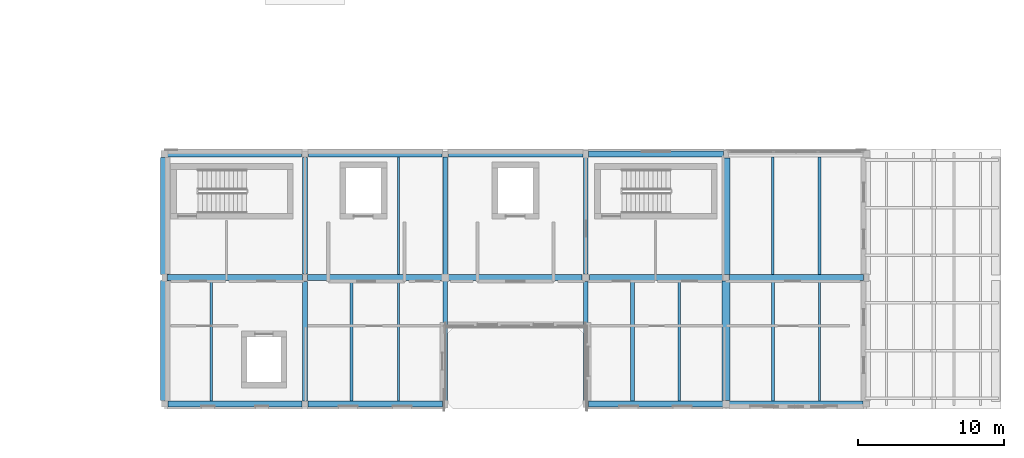
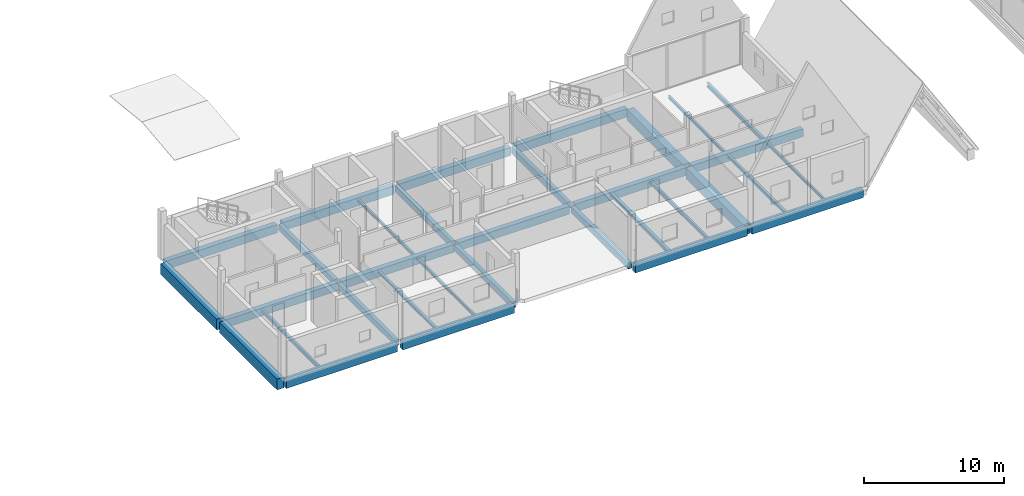
# One storey, part 5 of 23: 33 beams.
"""IFC4 building model written with IfcOpenShell, lengths in metres."""

from ifc_helpers import new_model, si_unit, direction, frame, origin, origin_2d, place, context, subcontext, project, spatial, rectangle, i_section, extrude, material, material_profile, profile_set, type_object, element, save


model = new_model("IFC4")

# Units and contexts
model_context = context("Model", 3, precision=1e-05, world=origin(), true_north=direction((0.0, 1.0)))
body_context = subcontext(model_context, "Body", "Model", "MODEL_VIEW")
ifc_project = project(units=[si_unit("LENGTHUNIT", "METRE"), si_unit("AREAUNIT", "SQUARE_METRE"), si_unit("VOLUMEUNIT", "CUBIC_METRE"), si_unit("PLANEANGLEUNIT", "RADIAN"), si_unit("MASSUNIT", "GRAM", prefix="KILO")], contexts=[model_context])

# Site, building, storey
site_placement = place(None, origin())
site = spatial("IfcSite", under=ifc_project, at=site_placement, CompositionType="ELEMENT")
building_placement = place(site_placement, origin())
building = spatial("IfcBuilding", under=site, at=building_placement, Name="Birchvale Park Specialist Clinic", CompositionType="ELEMENT")
storey_placement = place(building_placement, frame((0.0, 0.0, 18.0)))
storey = spatial("IfcBuildingStorey", under=building, at=storey_placement, Name="L04", CompositionType="ELEMENT", Elevation=18.0)

# Beams
ifc_material_1 = material(Name="Concrete C40/50", Category="concrete")
ifc_material_profile_1 = material_profile(ifc_material_1, rectangle(XDim=0.419921875, YDim=0.719970703125, at=origin_2d()), Name="RCB-420x720")
ifc_profile_set_1 = profile_set([ifc_material_profile_1], Name="Concrete C40/50")
beam_type_1 = type_object("IfcBeamType", Name="BM-EXT-BG3", PredefinedType="BEAM", material=ifc_profile_set_1)
beam_1_placement = place(storey_placement, frame((61.639892578125, 17.14990234375, -0.639892578125), z_axis=(1.0, 0.0, 0.0), x_axis=(0.0, 1.0, 0.0)))
element("IfcBeam", 1, at=beam_1_placement, inside=storey, type_object=beam_type_1, Name="V4 L04 X girder 1", PredefinedType="BEAM", context=body_context, shape_type="SweptSolid", body=[
    extrude(rectangle(XDim=0.419921875, YDim=0.719970703125, at=origin_2d()), origin(), (0.0, 0.0, 1.0), 9.14501953125),
])
beam_2_placement = place(storey_placement, frame((71.215087890625, 17.14990234375, -0.639892578125), z_axis=(1.0, 0.0, 0.0), x_axis=(0.0, 1.0, 0.0)))
element("IfcBeam", 2, at=beam_2_placement, inside=storey, type_object=beam_type_1, Name="V4 L04 X girder 2", PredefinedType="BEAM", context=body_context, shape_type="SweptSolid", body=[
    extrude(rectangle(XDim=0.419921875, YDim=0.719970703125, at=origin_2d()), origin(), (0.0, 0.0, 1.0), 9.19482421875),
])
beam_3_placement = place(storey_placement, frame((90.385009765625, 17.14990234375, -0.639892578125), z_axis=(1.0, 0.0, 0.0), x_axis=(0.0, 1.0, 0.0)))
element("IfcBeam", 3, at=beam_3_placement, inside=storey, type_object=beam_type_1, Name="V4 L04 X girder 3", PredefinedType="BEAM", context=body_context, shape_type="SweptSolid", body=[
    extrude(rectangle(XDim=0.419921875, YDim=0.719970703125, at=origin_2d()), origin(), (0.0, 0.0, 1.0), 9.22998046875),
])
beam_4_placement = place(storey_placement, frame((99.985107421875, 17.14990234375, -0.639892578125), z_axis=(1.0, 0.0, 0.0), x_axis=(0.0, 1.0, 0.0)))
element("IfcBeam", 4, at=beam_4_placement, inside=storey, type_object=beam_type_1, Name="V4 L04 X girder 4", PredefinedType="BEAM", context=body_context, shape_type="SweptSolid", body=[
    extrude(rectangle(XDim=0.419921875, YDim=0.719970703125, at=origin_2d()), origin(), (0.0, 0.0, 1.0), 9.1748046875),
])
beam_5_placement = place(storey_placement, frame((61.5849609375, 34.25, -0.639892578125), z_axis=(1.0, 0.0, 0.0), x_axis=(0.0, 1.0, 0.0)))
element("IfcBeam", 5, at=beam_5_placement, inside=storey, type_object=beam_type_1, Name="V4 L04 X girder 10", PredefinedType="BEAM", context=body_context, shape_type="SweptSolid", body=[
    extrude(rectangle(XDim=0.419921875, YDim=0.719970703125, at=origin_2d()), origin(), (0.0, 0.0, 1.0), 9.175048828125),
])
beam_6_placement = place(storey_placement, frame((71.239990234375, 34.25, -0.639892578125), z_axis=(1.0, 0.0, 0.0), x_axis=(0.0, 1.0, 0.0)))
element("IfcBeam", 6, at=beam_6_placement, inside=storey, type_object=beam_type_1, Name="V4 L04 X girder 11", PredefinedType="BEAM", context=body_context, shape_type="SweptSolid", body=[
    extrude(rectangle(XDim=0.419921875, YDim=0.719970703125, at=origin_2d()), origin(), (0.0, 0.0, 1.0), 9.14501953125),
])
beam_7_placement = place(storey_placement, frame((80.81494140625, 34.25, -0.639892578125), z_axis=(1.0, 0.0, 0.0), x_axis=(0.0, 1.0, 0.0)))
element("IfcBeam", 7, at=beam_7_placement, inside=storey, type_object=beam_type_1, Name="V4 L04 X girder 12", PredefinedType="BEAM", context=body_context, shape_type="SweptSolid", body=[
    extrude(rectangle(XDim=0.419921875, YDim=0.719970703125, at=origin_2d()), origin(), (0.0, 0.0, 1.0), 9.195068359375),
])
beam_8_placement = place(storey_placement, frame((90.389892578125, 34.25, -0.639892578125), z_axis=(1.0, 0.0, 0.0), x_axis=(0.0, 1.0, 0.0)))
element("IfcBeam", 8, at=beam_8_placement, inside=storey, type_object=beam_type_1, Name="V4 L04 X girder 13", PredefinedType="BEAM", context=body_context, shape_type="SweptSolid", body=[
    extrude(rectangle(XDim=0.419921875, YDim=0.719970703125, at=origin_2d()), origin(), (0.0, 0.0, 1.0), 9.22509765625),
])
ifc_material_profile_2 = material_profile(ifc_material_1, rectangle(XDim=0.320068359375, YDim=0.5400390625, at=origin_2d()), Name="RCB-320x540")
ifc_profile_set_2 = profile_set([ifc_material_profile_2], Name="Concrete C40/50")
beam_type_2 = type_object("IfcBeamType", Name="BM-EXT-BG7", PredefinedType="BEAM", material=ifc_profile_set_2)
beam_9_placement = place(storey_placement, frame((80.60009765625, 17.340087890625, -0.580078125), z_axis=(0.0, 1.0, 0.0), x_axis=(-1.0, 0.0, 0.0)))
element("IfcBeam", 9, at=beam_9_placement, inside=storey, type_object=beam_type_2, Name="V4 L04 Y girder 19", PredefinedType="BEAM", context=body_context, shape_type="SweptSolid", body=[
    extrude(rectangle(XDim=0.320068359375, YDim=0.5400390625, at=origin_2d()), origin(), (0.0, 0.0, 1.0), 8.23486328125),
])
beam_10_placement = place(storey_placement, frame((80.60009765625, 26.02490234375, -0.550048828125), z_axis=(0.0, 1.0, 0.0), x_axis=(-1.0, 0.0, 0.0)))
element("IfcBeam", 10, at=beam_10_placement, inside=storey, type_object=beam_type_2, Name="V4 L04 Y girder 20", PredefinedType="BEAM", context=body_context, shape_type="SweptSolid", body=[
    extrude(rectangle(XDim=0.320068359375, YDim=0.5400390625, at=origin_2d()), origin(), (0.0, 0.0, 1.0), 8.010009765625),
])
beam_11_placement = place(storey_placement, frame((90.199951171875, 17.409912109375, -0.580078125), z_axis=(0.0, 1.0, 0.0), x_axis=(-1.0, 0.0, 0.0)))
element("IfcBeam", 11, at=beam_11_placement, inside=storey, type_object=beam_type_2, Name="V4 L04 Y girder 21", PredefinedType="BEAM", context=body_context, shape_type="SweptSolid", body=[
    extrude(rectangle(XDim=0.320068359375, YDim=0.5400390625, at=origin_2d()), origin(), (0.0, 0.0, 1.0), 8.14013671875),
])
beam_12_placement = place(storey_placement, frame((90.199951171875, 26.050048828125, -0.550048828125), z_axis=(0.0, 1.0, 0.0), x_axis=(-1.0, 0.0, 0.0)))
element("IfcBeam", 12, at=beam_12_placement, inside=storey, type_object=beam_type_2, Name="V4 L04 Y girder 22", PredefinedType="BEAM", context=body_context, shape_type="SweptSolid", body=[
    extrude(rectangle(XDim=0.320068359375, YDim=0.5400390625, at=origin_2d()), origin(), (0.0, 0.0, 1.0), 8.010009765625),
])
ifc_material_profile_3 = material_profile(ifc_material_1, rectangle(XDim=0.550048828125, YDim=0.93994140625, at=origin_2d()), Name="RCB-550x940")
ifc_profile_set_3 = profile_set([ifc_material_profile_3], Name="Concrete C40/50")
beam_type_3 = type_object("IfcBeamType", Name="BM-EXT-RB1", PredefinedType="BEAM", material=ifc_profile_set_3)
beam_13_placement = place(storey_placement, frame((61.39990234375, 17.389892578125, -0.75), z_axis=(0.0, 1.0, 0.0), x_axis=(-1.0, 0.0, 0.0)))
element("IfcBeam", 13, at=beam_13_placement, inside=storey, type_object=beam_type_3, Name="V4 L04 Y girder 15", PredefinedType="BEAM", context=body_context, shape_type="SweptSolid", body=[
    extrude(rectangle(XDim=0.550048828125, YDim=0.93994140625, at=origin_2d()), origin(), (0.0, 0.0, 1.0), 8.210205078125),
])
beam_14_placement = place(storey_placement, frame((61.39990234375, 26.0, -0.75), z_axis=(0.0, 1.0, 0.0), x_axis=(-1.0, 0.0, 0.0)))
element("IfcBeam", 14, at=beam_14_placement, inside=storey, type_object=beam_type_3, Name="V4 L04 Y girder 16", PredefinedType="BEAM", context=body_context, shape_type="SweptSolid", body=[
    extrude(rectangle(XDim=0.550048828125, YDim=0.93994140625, at=origin_2d()), origin(), (0.0, 0.0, 1.0), 8.010009765625),
])
beam_15_placement = place(storey_placement, frame((99.800048828125, 17.389892578125, -0.75), z_axis=(0.0, 1.0, 0.0), x_axis=(-1.0, 0.0, 0.0)))
element("IfcBeam", 15, at=beam_15_placement, inside=storey, type_object=beam_type_3, Name="V4 L04 Y girder 23", PredefinedType="BEAM", context=body_context, shape_type="SweptSolid", body=[
    extrude(rectangle(XDim=0.550048828125, YDim=0.93994140625, at=origin_2d()), origin(), (0.0, 0.0, 1.0), 8.18505859375),
])
beam_16_placement = place(storey_placement, frame((99.800048828125, 26.02490234375, -0.75), z_axis=(0.0, 1.0, 0.0), x_axis=(-1.0, 0.0, 0.0)))
element("IfcBeam", 16, at=beam_16_placement, inside=storey, type_object=beam_type_3, Name="V4 L04 Y girder 24", PredefinedType="BEAM", context=body_context, shape_type="SweptSolid", body=[
    extrude(rectangle(XDim=0.550048828125, YDim=0.93994140625, at=origin_2d()), origin(), (0.0, 0.0, 1.0), 7.965087890625),
])
ifc_material_profile_4 = material_profile(ifc_material_1, rectangle(XDim=0.419921875, YDim=0.679931640625, at=origin_2d()), Name="RCB-420x680")
ifc_profile_set_4 = profile_set([ifc_material_profile_4], Name="Concrete C40/50")
beam_type_4 = type_object("IfcBeamType", Name="BM-INT-BG3", PredefinedType="BEAM", material=ifc_profile_set_4)
beam_17_placement = place(storey_placement, frame((61.60009765625, 25.800048828125, -0.6201171875), z_axis=(1.0, 0.0, 0.0), x_axis=(0.0, 1.0, 0.0)))
element("IfcBeam", 17, at=beam_17_placement, inside=storey, type_object=beam_type_4, Name="V4 L04 X girder 5", PredefinedType="BEAM", context=body_context, shape_type="SweptSolid", body=[
    extrude(rectangle(XDim=0.419921875, YDim=0.679931640625, at=origin_2d()), origin(), (0.0, 0.0, 1.0), 9.224853515625),
])
beam_18_placement = place(storey_placement, frame((71.175048828125, 25.800048828125, -0.6201171875), z_axis=(1.0, 0.0, 0.0), x_axis=(0.0, 1.0, 0.0)))
element("IfcBeam", 18, at=beam_18_placement, inside=storey, type_object=beam_type_4, Name="V4 L04 X girder 6", PredefinedType="BEAM", context=body_context, shape_type="SweptSolid", body=[
    extrude(rectangle(XDim=0.419921875, YDim=0.679931640625, at=origin_2d()), origin(), (0.0, 0.0, 1.0), 9.25),
])
beam_19_placement = place(storey_placement, frame((80.77490234375, 25.800048828125, -0.6201171875), z_axis=(1.0, 0.0, 0.0), x_axis=(0.0, 1.0, 0.0)))
element("IfcBeam", 19, at=beam_19_placement, inside=storey, type_object=beam_type_4, Name="V4 L04 X girder 7", PredefinedType="BEAM", context=body_context, shape_type="SweptSolid", body=[
    extrude(rectangle(XDim=0.419921875, YDim=0.679931640625, at=origin_2d()), origin(), (0.0, 0.0, 1.0), 9.175048828125),
])
beam_20_placement = place(storey_placement, frame((90.449951171875, 25.800048828125, -0.6201171875), z_axis=(1.0, 0.0, 0.0), x_axis=(0.0, 1.0, 0.0)))
element("IfcBeam", 20, at=beam_20_placement, inside=storey, type_object=beam_type_4, Name="V4 L04 X girder 8", PredefinedType="BEAM", context=body_context, shape_type="SweptSolid", body=[
    extrude(rectangle(XDim=0.419921875, YDim=0.679931640625, at=origin_2d()), origin(), (0.0, 0.0, 1.0), 9.125),
])
beam_21_placement = place(storey_placement, frame((100.02490234375, 25.800048828125, -0.6201171875), z_axis=(1.0, 0.0, 0.0), x_axis=(0.0, 1.0, 0.0)))
element("IfcBeam", 21, at=beam_21_placement, inside=storey, type_object=beam_type_4, Name="V4 L04 X girder 9", PredefinedType="BEAM", context=body_context, shape_type="SweptSolid", body=[
    extrude(rectangle(XDim=0.419921875, YDim=0.679931640625, at=origin_2d()), origin(), (0.0, 0.0, 1.0), 9.175048828125),
])
ifc_material_profile_5 = material_profile(ifc_material_1, rectangle(XDim=0.320068359375, YDim=0.5, at=origin_2d()), Name="RCB-320x500")
ifc_profile_set_5 = profile_set([ifc_material_profile_5], Name="Concrete C40/50")
beam_type_5 = type_object("IfcBeamType", Name="BM-INT-BG7", PredefinedType="BEAM", material=ifc_profile_set_5)
beam_22_placement = place(storey_placement, frame((71.0, 17.364990234375, -0.530029296875), z_axis=(0.0, 1.0, 0.0), x_axis=(-1.0, 0.0, 0.0)))
element("IfcBeam", 22, at=beam_22_placement, inside=storey, type_object=beam_type_5, Name="V4 L04 Y girder 17", PredefinedType="BEAM", context=body_context, shape_type="SweptSolid", body=[
    extrude(rectangle(XDim=0.320068359375, YDim=0.5, at=origin_2d()), origin(), (0.0, 0.0, 1.0), 8.18505859375),
])
beam_23_placement = place(storey_placement, frame((71.0, 26.050048828125, -0.530029296875), z_axis=(0.0, 1.0, 0.0), x_axis=(-1.0, 0.0, 0.0)))
element("IfcBeam", 23, at=beam_23_placement, inside=storey, type_object=beam_type_5, Name="V4 L04 Y girder 18", PredefinedType="BEAM", context=body_context, shape_type="SweptSolid", body=[
    extrude(rectangle(XDim=0.320068359375, YDim=0.5, at=origin_2d()), origin(), (0.0, 0.0, 1.0), 7.9599609375),
])
ifc_material_2 = material(Name="Steel ASTM A992 Grade 50", Category="steel")
ifc_material_profile_6 = material_profile(ifc_material_2, i_section(OverallWidth=0.2041015625, OverallDepth=0.35107421875, WebThickness=0.008544921875, FlangeThickness=0.01513671875, at=origin_2d()), Name="W14X48")
ifc_profile_set_6 = profile_set([ifc_material_profile_6], Name="Steel ASTM A992 Grade 50")
beam_type_6 = type_object("IfcBeamType", Name="STL-INT-SJ1", PredefinedType="JOIST", material=ifc_profile_set_6)
beam_24_placement = place(storey_placement, frame((106.199951171875, 26.010009765625, -0.45556640625), z_axis=(0.0, 1.0, 0.0), x_axis=(-1.0, 0.0, 0.0)))
element("IfcBeam", 24, at=beam_24_placement, inside=storey, type_object=beam_type_6, Name="V4 L04 secondary floor joist 10", PredefinedType="JOIST", context=body_context, shape_type="SweptSolid", body=[
    extrude(i_section(OverallWidth=0.2041015625, OverallDepth=0.35107421875, WebThickness=0.008544921875, FlangeThickness=0.01513671875, at=origin_2d()), origin(), (0.0, 0.0, 1.0), 8.030029296875),
])
ifc_material_profile_7 = material_profile(ifc_material_2, i_section(OverallWidth=0.25390625, OverallDepth=0.305908203125, WebThickness=0.0087890625, FlangeThickness=0.0146484375, at=origin_2d()), Name="W12X53")
ifc_profile_set_7 = profile_set([ifc_material_profile_7], Name="Steel ASTM A992 Grade 50")
beam_type_7 = type_object("IfcBeamType", Name="STL-INT-SJ2", PredefinedType="JOIST", material=ifc_profile_set_7)
beam_25_placement = place(storey_placement, frame((93.39990234375, 17.360107421875, -0.43310546875), z_axis=(0.0, 1.0, 0.0), x_axis=(-1.0, 0.0, 0.0)))
element("IfcBeam", 25, at=beam_25_placement, inside=storey, type_object=beam_type_7, Name="V4 L04 secondary floor joist 5", PredefinedType="JOIST", context=body_context, shape_type="SweptSolid", body=[
    extrude(i_section(OverallWidth=0.25390625, OverallDepth=0.305908203125, WebThickness=0.0087890625, FlangeThickness=0.0146484375, at=origin_2d()), origin(), (0.0, 0.0, 1.0), 8.22998046875),
])
ifc_material_profile_8 = material_profile(ifc_material_2, i_section(OverallWidth=0.1669921875, OverallDepth=0.31689453125, WebThickness=0.007568359375, FlangeThickness=0.01318359375, at=origin_2d()), Name="W12X35")
ifc_profile_set_8 = profile_set([ifc_material_profile_8], Name="Steel ASTM A992 Grade 50")
beam_type_8 = type_object("IfcBeamType", Name="STL-INT-SJ3", PredefinedType="JOIST", material=ifc_profile_set_8)
for number, where, z_axis, x_axis, name in (
    (26, (64.60009765625, 17.360107421875, -0.4384765625), (0.0, 1.0, 0.0), (-1.0, 0.0, 0.0), "V4 L04 secondary floor joist 1"),
    (27, (96.60009765625, 17.360107421875, -0.4384765625), (0.0, 1.0, 0.0), (-1.0, 0.0, 0.0), "V4 L04 secondary floor joist 6"),
):
    element("IfcBeam", number, at=place(storey_placement, frame(where, z_axis=z_axis, x_axis=x_axis)), inside=storey, type_object=beam_type_8, Name=name, PredefinedType="JOIST", context=body_context, shape_type="SweptSolid", body=[
        extrude(i_section(OverallWidth=0.1669921875, OverallDepth=0.31689453125, WebThickness=0.007568359375, FlangeThickness=0.01318359375, at=origin_2d()), origin(), (0.0, 0.0, 1.0), 8.22998046875),
    ])
ifc_material_profile_9 = material_profile(ifc_material_2, i_section(OverallWidth=0.202880859375, OverallDepth=0.251953125, WebThickness=0.008056640625, FlangeThickness=0.013427734375, at=origin_2d()), Name="W10X39")
ifc_profile_set_9 = profile_set([ifc_material_profile_9], Name="Steel ASTM A992 Grade 50")
beam_type_9 = type_object("IfcBeamType", Name="STL-INT-SJ4", PredefinedType="JOIST", material=ifc_profile_set_9)
for number, where, z_axis, x_axis, name in (
    (28, (74.199951171875, 17.360107421875, -0.406005859375), (0.0, 1.0, 0.0), (-1.0, 0.0, 0.0), "V4 L04 secondary floor joist 2"),
    (29, (103.0, 17.360107421875, -0.406005859375), (0.0, 1.0, 0.0), (-1.0, 0.0, 0.0), "V4 L04 secondary floor joist 7"),
):
    element("IfcBeam", number, at=place(storey_placement, frame(where, z_axis=z_axis, x_axis=x_axis)), inside=storey, type_object=beam_type_9, Name=name, PredefinedType="JOIST", context=body_context, shape_type="SweptSolid", body=[
        extrude(i_section(OverallWidth=0.202880859375, OverallDepth=0.251953125, WebThickness=0.008056640625, FlangeThickness=0.013427734375, at=origin_2d()), origin(), (0.0, 0.0, 1.0), 8.22998046875),
    ])
ifc_material_profile_10 = material_profile(ifc_material_2, i_section(OverallWidth=0.14697265625, OverallDepth=0.261962890625, WebThickness=0.006591796875, FlangeThickness=0.01123046875, at=origin_2d()), Name="W10X26")
ifc_profile_set_10 = profile_set([ifc_material_profile_10], Name="Steel ASTM A992 Grade 50")
beam_type_10 = type_object("IfcBeamType", Name="STL-INT-SJ5", PredefinedType="JOIST", material=ifc_profile_set_10)
beam_26_placement = place(storey_placement, frame((77.39990234375, 17.360107421875, -0.410888671875), z_axis=(0.0, 1.0, 0.0), x_axis=(-1.0, 0.0, 0.0)))
element("IfcBeam", 30, at=beam_26_placement, inside=storey, type_object=beam_type_10, Name="V4 L04 secondary floor joist 3", PredefinedType="JOIST", context=body_context, shape_type="SweptSolid", body=[
    extrude(i_section(OverallWidth=0.14697265625, OverallDepth=0.261962890625, WebThickness=0.006591796875, FlangeThickness=0.01123046875, at=origin_2d()), origin(), (0.0, 0.0, 1.0), 8.22998046875),
])
beam_27_placement = place(storey_placement, frame((77.39990234375, 26.010009765625, -0.410888671875), z_axis=(0.0, 1.0, 0.0), x_axis=(-1.0, 0.0, 0.0)))
element("IfcBeam", 31, at=beam_27_placement, inside=storey, type_object=beam_type_10, Name="V4 L04 secondary floor joist 4", PredefinedType="JOIST", context=body_context, shape_type="SweptSolid", body=[
    extrude(i_section(OverallWidth=0.14697265625, OverallDepth=0.261962890625, WebThickness=0.006591796875, FlangeThickness=0.01123046875, at=origin_2d()), origin(), (0.0, 0.0, 1.0), 8.030029296875),
])
beam_28_placement = place(storey_placement, frame((106.199951171875, 17.360107421875, -0.410888671875), z_axis=(0.0, 1.0, 0.0), x_axis=(-1.0, 0.0, 0.0)))
element("IfcBeam", 32, at=beam_28_placement, inside=storey, type_object=beam_type_10, Name="V4 L04 secondary floor joist 8", PredefinedType="JOIST", context=body_context, shape_type="SweptSolid", body=[
    extrude(i_section(OverallWidth=0.14697265625, OverallDepth=0.261962890625, WebThickness=0.006591796875, FlangeThickness=0.01123046875, at=origin_2d()), origin(), (0.0, 0.0, 1.0), 8.22998046875),
])
beam_29_placement = place(storey_placement, frame((103.0, 26.010009765625, -0.410888671875), z_axis=(0.0, 1.0, 0.0), x_axis=(-1.0, 0.0, 0.0)))
element("IfcBeam", 33, at=beam_29_placement, inside=storey, type_object=beam_type_10, Name="V4 L04 secondary floor joist 9", PredefinedType="JOIST", context=body_context, shape_type="SweptSolid", body=[
    extrude(i_section(OverallWidth=0.14697265625, OverallDepth=0.261962890625, WebThickness=0.006591796875, FlangeThickness=0.01123046875, at=origin_2d()), origin(), (0.0, 0.0, 1.0), 8.030029296875),
])

save(model, "model.ifc")
